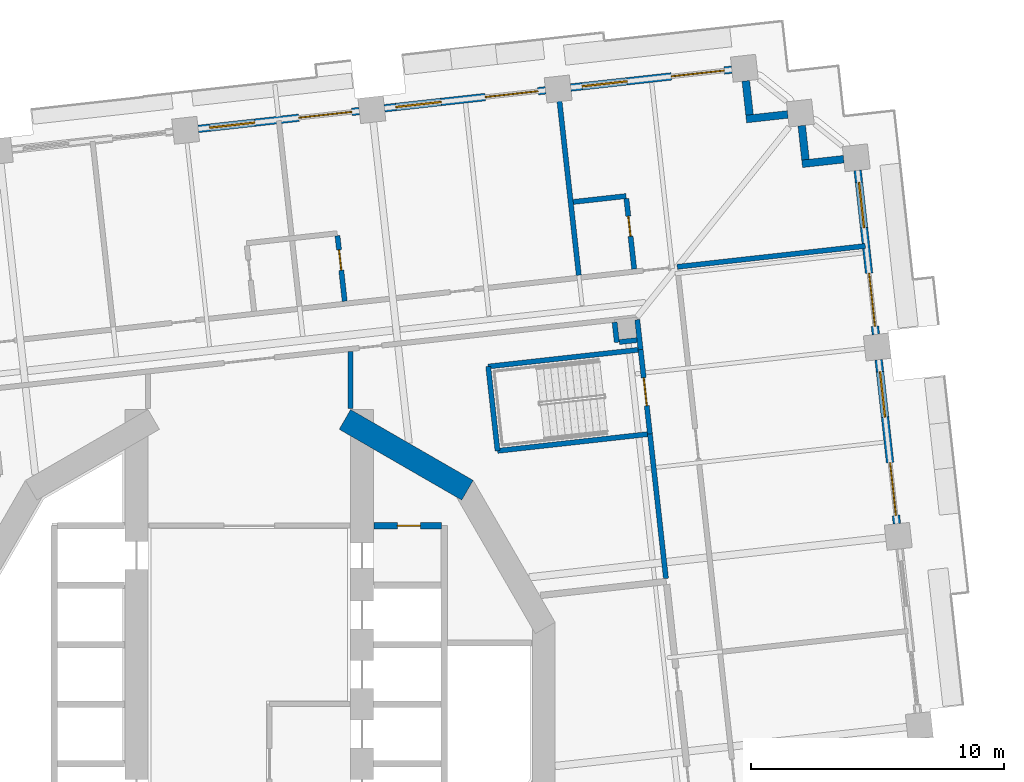
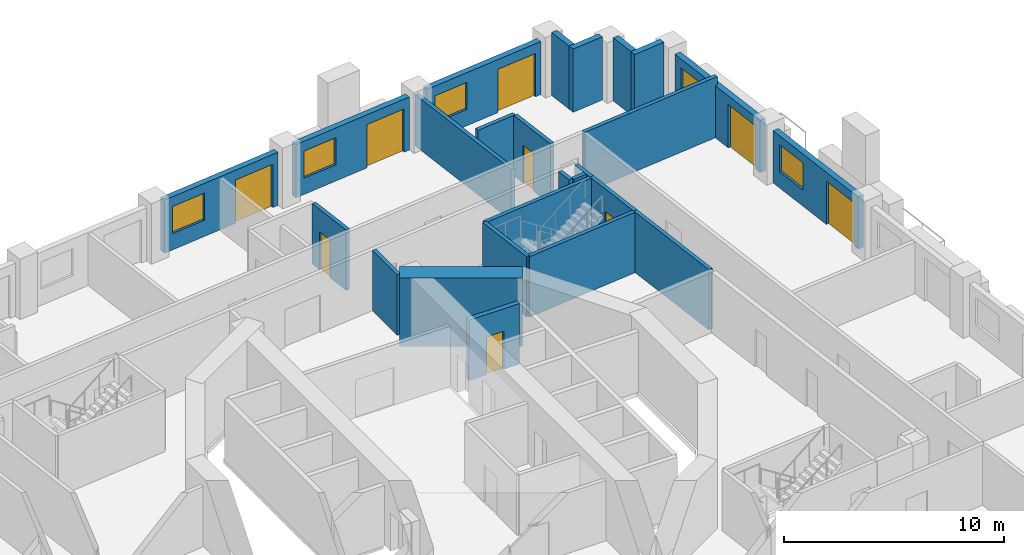
# One storey, part 12 of 21: 25 walls, 9 doors, 5 windows, 14 openings.
"""IFC4 building model written with IfcOpenShell, lengths in metres."""

from ifc_helpers import new_model, si_unit, direction, frame, frame_2d, origin, place, context, subcontext, project, spatial, rectangle, extrude, material, layer, layer_set, type_object, element, fill, save


model = new_model("IFC4")

# Units and contexts
model_context = context("Model", 3, precision=1e-05, world=origin(), true_north=direction((0.0, 1.0)))
body_context = subcontext(model_context, "Body", "Model", "MODEL_VIEW")
ifc_project = project(units=[si_unit("LENGTHUNIT", "METRE"), si_unit("AREAUNIT", "SQUARE_METRE"), si_unit("VOLUMEUNIT", "CUBIC_METRE"), si_unit("PLANEANGLEUNIT", "RADIAN"), si_unit("MASSUNIT", "GRAM", prefix="KILO")], contexts=[model_context])

# Site, building, storey
site_placement = place(None, origin())
site = spatial("IfcSite", under=ifc_project, at=site_placement, CompositionType="ELEMENT")
building_placement = place(site_placement, origin())
building = spatial("IfcBuilding", under=site, at=building_placement, Name="Cantera Rosa Tower", CompositionType="ELEMENT")
storey_placement = place(building_placement, frame((0.0, 0.0, 80.5)))
storey = spatial("IfcBuildingStorey", under=building, at=storey_placement, Name="L17", CompositionType="ELEMENT", Elevation=80.5)

# Walls
ifc_material_1 = material(Name="Gypsum board partition")
ifc_layer_1 = layer(ifc_material_1, 0.199951171875)
ifc_layer_set_1 = layer_set([ifc_layer_1], Name="CORRIDOR WALL 200 H3350")
wall_type_1 = type_object("IfcWallType", Name="CORRIDOR WALL 200 H3350", PredefinedType="PARTITIONING", material=ifc_layer_set_1)
wall_1_placement = place(storey_placement, frame((4.0, 11.667236328125, 0.0), z_axis=(0.0, 0.0, 1.0), x_axis=(0.0, 1.0, 0.0)))
element("IfcWall", 1, at=wall_1_placement, inside=storey, type_object=wall_type_1, Name="CORRIDOR WALL L17-063", PredefinedType="PARTITIONING", context=body_context, shape_type="SweptSolid", body=[
    extrude(rectangle(XDim=2.259765625, YDim=0.199951171875, at=frame_2d((1.1298828125, 0.0))), origin(), (0.0, 0.0, 1.0), 3.35009765625),
])
wall_2_placement = place(storey_placement, frame((15.44970703125, 14.001708984375, 0.0), z_axis=(0.0, 0.0, 1.0), x_axis=(-0.110341316069, 0.993893753863, 0.0)))
element("IfcWall", 2, at=wall_2_placement, inside=storey, type_object=wall_type_1, Name="CORRIDOR WALL L17-090", PredefinedType="PARTITIONING", context=body_context, shape_type="SweptSolid", body=[
    extrude(rectangle(XDim=1.188232421875, YDim=0.199951171875, at=frame_2d((0.59423828125, 0.0))), origin(), (0.0, 0.0, 1.0), 3.35009765625),
])
wall_3_placement = place(storey_placement, frame((16.45263671875, 4.965087890625, 0.0), z_axis=(0.0, 0.0, 1.0), x_axis=(-0.110291526896, 0.993899280156, 0.0)))
element("IfcWall", 3, at=wall_3_placement, inside=storey, type_object=wall_type_1, Name="CORRIDOR WALL L17-093", PredefinedType="PARTITIONING", context=body_context, shape_type="SweptSolid", body=[
    extrude(rectangle(XDim=5.741943359375, YDim=0.199951171875, at=frame_2d((2.87109375, 0.0))), origin(), (0.0, 0.0, 1.0), 3.35009765625),
])
ifc_material_2 = material(Name="Hollow clay masonry with cantera stone cladding", Category="masonry")
ifc_layer_2 = layer(ifc_material_2, 0.300048828125)
ifc_layer_set_2 = layer_set([ifc_layer_2], Name="EW-LOGGIA 300")
wall_type_2 = type_object("IfcWallType", Name="EW-LOGGIA 300", PredefinedType="SOLIDWALL", material=ifc_layer_set_2)
wall_4_placement = place(storey_placement, frame((23.46923828125, 21.520263671875, 0.0), z_axis=(0.0, 0.0, 1.0), x_axis=(-0.993905369514, -0.110236638423, 0.0)))
element("IfcWall", 4, at=wall_4_placement, inside=storey, type_object=wall_type_2, Name="EN-L17-W06a", PredefinedType="SOLIDWALL", context=body_context, shape_type="SweptSolid", body=[
    extrude(rectangle(XDim=1.64990234375, YDim=0.300048828125, at=frame_2d((0.824951171875, 0.0))), origin(), (0.0, 0.0, 1.0), 3.5),
])
wall_5_placement = place(storey_placement, frame((21.9619140625, 21.50390625, 0.0), z_axis=(0.0, 0.0, 1.0), x_axis=(-0.110312435488, 0.993896959738, 0.0)))
element("IfcWall", 5, at=wall_5_placement, inside=storey, type_object=wall_type_2, Name="EN-L17-W06b", PredefinedType="SOLIDWALL", context=body_context, shape_type="SweptSolid", body=[
    extrude(rectangle(XDim=1.35009765625, YDim=0.300048828125, at=frame_2d((0.675048828125, 0.0))), origin(), (0.0, 0.0, 1.0), 3.5),
])
wall_6_placement = place(storey_placement, frame((21.2607421875, 23.287353515625, 0.0), z_axis=(0.0, 0.0, 1.0), x_axis=(-0.993905369514, -0.110236638423, 0.0)))
element("IfcWall", 6, at=wall_6_placement, inside=storey, type_object=wall_type_2, Name="EN-L17-W07a", PredefinedType="SOLIDWALL", context=body_context, shape_type="SweptSolid", body=[
    extrude(rectangle(XDim=1.64990234375, YDim=0.300048828125, at=frame_2d((0.824951171875, 0.0))), origin(), (0.0, 0.0, 1.0), 3.5),
])
wall_7_placement = place(storey_placement, frame((19.75341796875, 23.27099609375, 0.0), z_axis=(0.0, 0.0, 1.0), x_axis=(-0.110312435488, 0.993896959738, 0.0)))
element("IfcWall", 7, at=wall_7_placement, inside=storey, type_object=wall_type_2, Name="EN-L17-W07b", PredefinedType="SOLIDWALL", context=body_context, shape_type="SweptSolid", body=[
    extrude(rectangle(XDim=1.35009765625, YDim=0.300048828125, at=frame_2d((0.675048828125, 0.0))), origin(), (0.0, 0.0, 1.0), 3.5),
])

# Wall, openings, window, door
ifc_material_3 = material(Name="Hollow clay masonry with cantera stone cladding", Category="masonry")
ifc_layer_3 = layer(ifc_material_3, 0.300048828125)
ifc_layer_set_3 = layer_set([ifc_layer_3], Name="EW-LOGGIA 300 H2890")
wall_type_3 = type_object("IfcWallType", Name="EW-LOGGIA 300 H2890", PredefinedType="SOLIDWALL", material=ifc_layer_set_3)
wall_8_placement = place(storey_placement, frame((25.570068359375, 7.124267578125, 0.0), z_axis=(0.0, 0.0, 1.0), x_axis=(-0.110312341265, 0.993896970196, 0.0)))
wall_8 = element("IfcWall", 8, at=wall_8_placement, inside=storey, type_object=wall_type_3, Name="EN-L17-W04", PredefinedType="SOLIDWALL", context=body_context, shape_type="SweptSolid", body=[
    extrude(rectangle(XDim=6.52001953125, YDim=0.300048828125, at=frame_2d((3.260009765625, 0.0))), origin(), (0.0, 0.0, 1.0), 2.889892578125),
])
opening_1_placement = place(wall_8_placement, frame((0.330078125, 0.0, 0.0)))
opening_1 = element("IfcOpeningElement", 9, at=opening_1_placement, cuts=wall_8, Name="Opening L17-TD07", PredefinedType="OPENING", context=body_context, shape_type="SweptSolid", body=[
    extrude(rectangle(XDim=2.10009765625, YDim=2.39990234375, at=frame_2d((1.050048828125, 1.199951171875))), frame((0.0, 0.159912109375, 0.0), z_axis=(0.0, -1.0, 0.0), x_axis=(1.0, 0.0, 0.0)), (0.0, 0.0, 1.0), 0.320068359375),
])
opening_2_placement = place(wall_8_placement, frame((4.239990234375, 0.0, 0.89990234375)))
opening_2 = element("IfcOpeningElement", 10, at=opening_2_placement, cuts=wall_8, Name="Opening L17-W08", PredefinedType="OPENING", context=body_context, shape_type="SweptSolid", body=[
    extrude(rectangle(XDim=1.800048828125, YDim=1.5, at=frame_2d((0.89990234375, 0.75))), frame((0.0, 0.159912109375, 0.0), z_axis=(0.0, -1.0, 0.0), x_axis=(1.0, 0.0, 0.0)), (0.0, 0.0, 1.0), 0.320068359375),
])
ifc_material_4 = material(Name="Aluminium frame with clear glass", Category="aluminium")
window_type = type_object("IfcWindowType", Name="Hotel room window 1800x1500", PartitioningType="DOUBLE_PANEL_VERTICAL", PredefinedType="WINDOW", material=ifc_material_4)
window_1_placement = place(opening_2_placement, origin())
window_1 = element("IfcWindow", 11, at=window_1_placement, inside=storey, type_object=window_type, Name="WINDOW L17-W08", OverallHeight=1.5, OverallWidth=1.800048828125, PartitioningType="SINGLE_PANEL", PredefinedType="WINDOW", context=body_context, shape_type="SweptSolid", body=[
    extrude(rectangle(XDim=1.800048828125, YDim=1.5, at=frame_2d((0.89990234375, 0.75))), frame((0.0, 0.030029296875, 0.0), z_axis=(0.0, -1.0, 0.0), x_axis=(1.0, 0.0, 0.0)), (0.0, 0.0, 1.0), 0.06005859375),
])
fill(opening_2, window_1)
ifc_material_5 = material(Name="Aluminium frame with clear glass", Category="aluminium")
door_type_1 = type_object("IfcDoorType", Name="TD-H 2100x2400", OperationType="NOTDEFINED", PredefinedType="DOOR", material=ifc_material_5)
door_1_placement = place(opening_1_placement, origin())
door_1 = element("IfcDoor", 12, at=door_1_placement, inside=storey, type_object=door_type_1, Name="LOGGIA DOOR L17-TD07", OperationType="SLIDING_TO_LEFT", OverallHeight=2.39990234375, OverallWidth=2.10009765625, PredefinedType="DOOR", context=body_context, shape_type="SweptSolid", body=[
    extrude(rectangle(XDim=2.10009765625, YDim=2.39990234375, at=frame_2d((1.050048828125, 1.199951171875))), frame((0.0, 0.02490234375, 0.0), z_axis=(0.0, -1.0, 0.0), x_axis=(1.0, 0.0, 0.0)), (0.0, 0.0, 1.0), 0.050048828125),
])
fill(opening_1, door_1)

wall_9_placement = place(storey_placement, frame((24.74072265625, 14.598388671875, 0.0), z_axis=(0.0, 0.0, 1.0), x_axis=(-0.110312341265, 0.993896970196, 0.0)))
wall_9 = element("IfcWall", 13, at=wall_9_placement, inside=storey, type_object=wall_type_3, Name="EN-L17-W05", PredefinedType="SOLIDWALL", context=body_context, shape_type="SweptSolid", body=[
    extrude(rectangle(XDim=6.52001953125, YDim=0.300048828125, at=frame_2d((3.260009765625, 0.0))), origin(), (0.0, 0.0, 1.0), 2.889892578125),
])
opening_3_placement = place(wall_9_placement, frame((0.330078125, 0.0, 0.0)))
opening_3 = element("IfcOpeningElement", 14, at=opening_3_placement, cuts=wall_9, Name="Opening L17-TD09", PredefinedType="OPENING", context=body_context, shape_type="SweptSolid", body=[
    extrude(rectangle(XDim=2.10009765625, YDim=2.39990234375, at=frame_2d((1.050048828125, 1.199951171875))), frame((0.0, 0.159912109375, 0.0), z_axis=(0.0, -1.0, 0.0), x_axis=(1.0, 0.0, 0.0)), (0.0, 0.0, 1.0), 0.320068359375),
])
opening_4_placement = place(wall_9_placement, frame((4.239990234375, 0.0, 0.89990234375)))
opening_4 = element("IfcOpeningElement", 15, at=opening_4_placement, cuts=wall_9, Name="Opening L17-W10", PredefinedType="OPENING", context=body_context, shape_type="SweptSolid", body=[
    extrude(rectangle(XDim=1.800048828125, YDim=1.5, at=frame_2d((0.89990234375, 0.75))), frame((0.0, 0.159912109375, 0.0), z_axis=(0.0, -1.0, 0.0), x_axis=(1.0, 0.0, 0.0)), (0.0, 0.0, 1.0), 0.320068359375),
])
window_2_placement = place(opening_4_placement, origin())
window_2 = element("IfcWindow", 16, at=window_2_placement, inside=storey, type_object=window_type, Name="WINDOW L17-W10", OverallHeight=1.5, OverallWidth=1.800048828125, PartitioningType="SINGLE_PANEL", PredefinedType="WINDOW", context=body_context, shape_type="SweptSolid", body=[
    extrude(rectangle(XDim=1.800048828125, YDim=1.5, at=frame_2d((0.89990234375, 0.75))), frame((0.0, 0.030029296875, 0.0), z_axis=(0.0, -1.0, 0.0), x_axis=(1.0, 0.0, 0.0)), (0.0, 0.0, 1.0), 0.06005859375),
])
fill(opening_4, window_2)
door_2_placement = place(opening_3_placement, origin())
door_2 = element("IfcDoor", 17, at=door_2_placement, inside=storey, type_object=door_type_1, Name="LOGGIA DOOR L17-TD09", OperationType="SLIDING_TO_LEFT", OverallHeight=2.39990234375, OverallWidth=2.10009765625, PredefinedType="DOOR", context=body_context, shape_type="SweptSolid", body=[
    extrude(rectangle(XDim=2.10009765625, YDim=2.39990234375, at=frame_2d((1.050048828125, 1.199951171875))), frame((0.0, 0.02490234375, 0.0), z_axis=(0.0, -1.0, 0.0), x_axis=(1.0, 0.0, 0.0)), (0.0, 0.0, 1.0), 0.050048828125),
])
fill(opening_3, door_2)

ifc_material_6 = material(Name="Hollow clay masonry with cantera stone cladding", Category="masonry")
ifc_layer_4 = layer(ifc_material_6, 0.300048828125)
ifc_layer_set_4 = layer_set([ifc_layer_4], Name="EW-LOGGIA 300 H2940")
wall_type_4 = type_object("IfcWallType", Name="EW-LOGGIA 300 H2940", PredefinedType="SOLIDWALL", material=ifc_layer_set_4)
wall_10_placement = place(storey_placement, frame((19.052490234375, 25.0546875, 0.0), z_axis=(0.0, 0.0, 1.0), x_axis=(-0.993896288542, -0.110318482689, 0.0)))
wall_10 = element("IfcWall", 18, at=wall_10_placement, inside=storey, type_object=wall_type_4, Name="EN-L17-W08", PredefinedType="SOLIDWALL", context=body_context, shape_type="SweptSolid", body=[
    extrude(rectangle(XDim=6.400146484375, YDim=0.300048828125, at=frame_2d((3.2001953125, 0.0))), origin(), (0.0, 0.0, 1.0), 2.93994140625),
])
opening_5_placement = place(wall_10_placement, frame((0.300048828125, 0.0, 0.0)))
opening_5 = element("IfcOpeningElement", 19, at=opening_5_placement, cuts=wall_10, Name="Opening L17-TD11", PredefinedType="OPENING", context=body_context, shape_type="SweptSolid", body=[
    extrude(rectangle(XDim=2.10009765625, YDim=2.39990234375, at=frame_2d((1.050048828125, 1.199951171875))), frame((0.0, 0.159912109375, 0.0), z_axis=(0.0, -1.0, 0.0), x_axis=(1.0, 0.0, 0.0)), (0.0, 0.0, 1.0), 0.320068359375),
])
opening_6_placement = place(wall_10_placement, frame((4.14990234375, 0.0, 0.89990234375)))
opening_6 = element("IfcOpeningElement", 20, at=opening_6_placement, cuts=wall_10, Name="Opening L17-W12", PredefinedType="OPENING", context=body_context, shape_type="SweptSolid", body=[
    extrude(rectangle(XDim=1.800048828125, YDim=1.5, at=frame_2d((0.89990234375, 0.75))), frame((0.0, 0.159912109375, 0.0), z_axis=(0.0, -1.0, 0.0), x_axis=(1.0, 0.0, 0.0)), (0.0, 0.0, 1.0), 0.320068359375),
])
window_3_placement = place(opening_6_placement, origin())
window_3 = element("IfcWindow", 21, at=window_3_placement, inside=storey, type_object=window_type, Name="WINDOW L17-W12", OverallHeight=1.5, OverallWidth=1.800048828125, PartitioningType="SINGLE_PANEL", PredefinedType="WINDOW", context=body_context, shape_type="SweptSolid", body=[
    extrude(rectangle(XDim=1.800048828125, YDim=1.5, at=frame_2d((0.89990234375, 0.75))), frame((0.0, 0.030029296875, 0.0), z_axis=(0.0, -1.0, 0.0), x_axis=(1.0, 0.0, 0.0)), (0.0, 0.0, 1.0), 0.06005859375),
])
fill(opening_6, window_3)
door_3_placement = place(opening_5_placement, origin())
door_3 = element("IfcDoor", 22, at=door_3_placement, inside=storey, type_object=door_type_1, Name="LOGGIA DOOR L17-TD11", OperationType="SLIDING_TO_LEFT", OverallHeight=2.39990234375, OverallWidth=2.10009765625, PredefinedType="DOOR", context=body_context, shape_type="SweptSolid", body=[
    extrude(rectangle(XDim=2.10009765625, YDim=2.39990234375, at=frame_2d((1.050048828125, 1.199951171875))), frame((0.0, 0.02490234375, 0.0), z_axis=(0.0, -1.0, 0.0), x_axis=(1.0, 0.0, 0.0)), (0.0, 0.0, 1.0), 0.050048828125),
])
fill(opening_5, door_3)

wall_11_placement = place(storey_placement, frame((11.697509765625, 24.23828125, 0.0), z_axis=(0.0, 0.0, 1.0), x_axis=(-0.993895824271, -0.110322665379, 0.0)))
wall_11 = element("IfcWall", 23, at=wall_11_placement, inside=storey, type_object=wall_type_4, Name="EN-L17-W09", PredefinedType="SOLIDWALL", context=body_context, shape_type="SweptSolid", body=[
    extrude(rectangle(XDim=6.39990234375, YDim=0.300048828125, at=frame_2d((3.199951171875, 0.0))), origin(), (0.0, 0.0, 1.0), 2.93994140625),
])
opening_7_placement = place(wall_11_placement, frame((0.300048828125, 0.0, 0.0)))
opening_7 = element("IfcOpeningElement", 24, at=opening_7_placement, cuts=wall_11, Name="Opening L17-TD13", PredefinedType="OPENING", context=body_context, shape_type="SweptSolid", body=[
    extrude(rectangle(XDim=2.10009765625, YDim=2.39990234375, at=frame_2d((1.050048828125, 1.199951171875))), frame((0.0, 0.159912109375, 0.0), z_axis=(0.0, -1.0, 0.0), x_axis=(1.0, 0.0, 0.0)), (0.0, 0.0, 1.0), 0.320068359375),
])
opening_8_placement = place(wall_11_placement, frame((4.14990234375, 0.0, 0.89990234375)))
opening_8 = element("IfcOpeningElement", 25, at=opening_8_placement, cuts=wall_11, Name="Opening L17-W14", PredefinedType="OPENING", context=body_context, shape_type="SweptSolid", body=[
    extrude(rectangle(XDim=1.800048828125, YDim=1.5, at=frame_2d((0.89990234375, 0.75))), frame((0.0, 0.159912109375, 0.0), z_axis=(0.0, -1.0, 0.0), x_axis=(1.0, 0.0, 0.0)), (0.0, 0.0, 1.0), 0.320068359375),
])
window_4_placement = place(opening_8_placement, origin())
window_4 = element("IfcWindow", 26, at=window_4_placement, inside=storey, type_object=window_type, Name="WINDOW L17-W14", OverallHeight=1.5, OverallWidth=1.800048828125, PartitioningType="SINGLE_PANEL", PredefinedType="WINDOW", context=body_context, shape_type="SweptSolid", body=[
    extrude(rectangle(XDim=1.800048828125, YDim=1.5, at=frame_2d((0.89990234375, 0.75))), frame((0.0, 0.030029296875, 0.0), z_axis=(0.0, -1.0, 0.0), x_axis=(1.0, 0.0, 0.0)), (0.0, 0.0, 1.0), 0.06005859375),
])
fill(opening_8, window_4)
door_4_placement = place(opening_7_placement, origin())
door_4 = element("IfcDoor", 27, at=door_4_placement, inside=storey, type_object=door_type_1, Name="LOGGIA DOOR L17-TD13", OperationType="SLIDING_TO_LEFT", OverallHeight=2.39990234375, OverallWidth=2.10009765625, PredefinedType="DOOR", context=body_context, shape_type="SweptSolid", body=[
    extrude(rectangle(XDim=2.10009765625, YDim=2.39990234375, at=frame_2d((1.050048828125, 1.199951171875))), frame((0.0, 0.02490234375, 0.0), z_axis=(0.0, -1.0, 0.0), x_axis=(1.0, 0.0, 0.0)), (0.0, 0.0, 1.0), 0.050048828125),
])
fill(opening_7, door_4)

wall_12_placement = place(storey_placement, frame((4.3427734375, 23.422119140625, 0.0), z_axis=(0.0, 0.0, 1.0), x_axis=(-0.993895824271, -0.110322665379, 0.0)))
wall_12 = element("IfcWall", 28, at=wall_12_placement, inside=storey, type_object=wall_type_4, Name="EN-L17-W10", PredefinedType="SOLIDWALL", context=body_context, shape_type="SweptSolid", body=[
    extrude(rectangle(XDim=6.39990234375, YDim=0.300048828125, at=frame_2d((3.199951171875, 0.0))), origin(), (0.0, 0.0, 1.0), 2.93994140625),
])
opening_9_placement = place(wall_12_placement, frame((0.300048828125, 0.0, 0.0)))
opening_9 = element("IfcOpeningElement", 29, at=opening_9_placement, cuts=wall_12, Name="Opening L17-TD15", PredefinedType="OPENING", context=body_context, shape_type="SweptSolid", body=[
    extrude(rectangle(XDim=2.10009765625, YDim=2.39990234375, at=frame_2d((1.050048828125, 1.199951171875))), frame((0.0, 0.159912109375, 0.0), z_axis=(0.0, -1.0, 0.0), x_axis=(1.0, 0.0, 0.0)), (0.0, 0.0, 1.0), 0.320068359375),
])
opening_10_placement = place(wall_12_placement, frame((4.14990234375, 0.0, 0.89990234375)))
opening_10 = element("IfcOpeningElement", 30, at=opening_10_placement, cuts=wall_12, Name="Opening L17-W16", PredefinedType="OPENING", context=body_context, shape_type="SweptSolid", body=[
    extrude(rectangle(XDim=1.800048828125, YDim=1.5, at=frame_2d((0.89990234375, 0.75))), frame((0.0, 0.159912109375, 0.0), z_axis=(0.0, -1.0, 0.0), x_axis=(1.0, 0.0, 0.0)), (0.0, 0.0, 1.0), 0.320068359375),
])
window_5_placement = place(opening_10_placement, origin())
window_5 = element("IfcWindow", 31, at=window_5_placement, inside=storey, type_object=window_type, Name="WINDOW L17-W16", OverallHeight=1.5, OverallWidth=1.800048828125, PartitioningType="SINGLE_PANEL", PredefinedType="WINDOW", context=body_context, shape_type="SweptSolid", body=[
    extrude(rectangle(XDim=1.800048828125, YDim=1.5, at=frame_2d((0.89990234375, 0.75))), frame((0.0, 0.030029296875, 0.0), z_axis=(0.0, -1.0, 0.0), x_axis=(1.0, 0.0, 0.0)), (0.0, 0.0, 1.0), 0.06005859375),
])
fill(opening_10, window_5)
door_5_placement = place(opening_9_placement, origin())
door_5 = element("IfcDoor", 32, at=door_5_placement, inside=storey, type_object=door_type_1, Name="LOGGIA DOOR L17-TD15", OperationType="SLIDING_TO_LEFT", OverallHeight=2.39990234375, OverallWidth=2.10009765625, PredefinedType="DOOR", context=body_context, shape_type="SweptSolid", body=[
    extrude(rectangle(XDim=2.10009765625, YDim=2.39990234375, at=frame_2d((1.050048828125, 1.199951171875))), frame((0.0, 0.02490234375, 0.0), z_axis=(0.0, -1.0, 0.0), x_axis=(1.0, 0.0, 0.0)), (0.0, 0.0, 1.0), 0.050048828125),
])
fill(opening_9, door_5)

# Wall, opening, door
ifc_material_7 = material(Name="Gypsum board partition")
ifc_layer_5 = layer(ifc_material_7, 0.199951171875)
ifc_layer_set_5 = layer_set([ifc_layer_5], Name="PARTITION 200 H3350")
wall_type_5 = type_object("IfcWallType", Name="PARTITION 200 H3350", PredefinedType="PARTITIONING", material=ifc_layer_set_5)
wall_13_placement = place(storey_placement, frame((3.480712890625, 18.496826171875, 0.0), z_axis=(0.0, 0.0, 1.0), x_axis=(0.110328468272, -0.993895180132, 0.0)))
wall_13 = element("IfcWall", 33, at=wall_13_placement, inside=storey, type_object=wall_type_5, Name="PARTITION L17-058", PredefinedType="PARTITIONING", context=body_context, shape_type="SweptSolid", body=[
    extrude(rectangle(XDim=2.60009765625, YDim=0.199951171875, at=frame_2d((1.300048828125, 0.0))), origin(), (0.0, 0.0, 1.0), 3.35009765625),
])
opening_11_placement = place(wall_13_placement, frame((0.56396484375, 0.0, 0.0)))
opening_11 = element("IfcOpeningElement", 34, at=opening_11_placement, cuts=wall_13, Name="Opening L17-021", PredefinedType="OPENING", context=body_context, shape_type="SweptSolid", body=[
    extrude(rectangle(XDim=0.800048828125, YDim=2.10009765625, at=frame_2d((0.39990234375, 1.050048828125))), frame((0.0, 0.10986328125, 0.0), z_axis=(0.0, -1.0, 0.0), x_axis=(1.0, 0.0, 0.0)), (0.0, 0.0, 1.0), 0.219970703125),
])
ifc_material_8 = material(Name="Timber door leaf", Category="wood")
door_type_2 = type_object("IfcDoorType", Name="BATHROOM DOOR 800x2100", OperationType="NOTDEFINED", PredefinedType="DOOR", material=ifc_material_8)
door_6_placement = place(opening_11_placement, origin())
door_6 = element("IfcDoor", 35, at=door_6_placement, inside=storey, type_object=door_type_2, Name="DOOR L17-021", OperationType="NOTDEFINED", OverallHeight=2.10009765625, OverallWidth=0.800048828125, PredefinedType="DOOR", context=body_context, shape_type="SweptSolid", body=[
    extrude(rectangle(XDim=0.800048828125, YDim=2.10009765625, at=frame_2d((0.39990234375, 1.050048828125))), frame((0.0, 0.02490234375, 0.0), z_axis=(0.0, -1.0, 0.0), x_axis=(1.0, 0.0, 0.0)), (0.0, 0.0, 1.0), 0.050048828125),
])
fill(opening_11, door_6)

# Walls
wall_14_placement = place(storey_placement, frame((12.790283203125, 19.83203125, 0.0), z_axis=(0.0, 0.0, 1.0), x_axis=(0.993895071737, 0.11032944474, 0.0)))
element("IfcWall", 36, at=wall_14_placement, inside=storey, type_object=wall_type_5, Name="PARTITION L17-080", PredefinedType="PARTITIONING", context=body_context, shape_type="SweptSolid", body=[
    extrude(rectangle(XDim=2.10009765625, YDim=0.199951171875, at=frame_2d((1.050048828125, 0.0))), origin(), (0.0, 0.0, 1.0), 3.35009765625),
])
wall_15_placement = place(storey_placement, frame((14.42431640625, 15.083251953125, 0.0), z_axis=(0.0, 0.0, 1.0), x_axis=(0.110163574714, -0.993913470482, 0.0)))
element("IfcWall", 37, at=wall_15_placement, inside=storey, type_object=wall_type_5, Name="PARTITION L17-082", PredefinedType="PARTITIONING", context=body_context, shape_type="SweptSolid", body=[
    extrude(rectangle(XDim=0.800048828125, YDim=0.199951171875, at=frame_2d((0.39990234375, 0.0))), origin(), (0.0, 0.0, 1.0), 3.35009765625),
])
wall_16_placement = place(storey_placement, frame((14.61181640625, 14.299072265625, 0.0), z_axis=(0.0, 0.0, 1.0), x_axis=(0.993870969748, 0.110546349969, 0.0)))
element("IfcWall", 38, at=wall_16_placement, inside=storey, type_object=wall_type_5, Name="PARTITION L17-083", PredefinedType="PARTITIONING", context=body_context, shape_type="SweptSolid", body=[
    extrude(rectangle(XDim=0.7001953125, YDim=0.199951171875, at=frame_2d((0.35009765625, 0.0))), origin(), (0.0, 0.0, 1.0), 3.35009765625),
])

# Wall, opening, door
wall_17_placement = place(storey_placement, frame((14.888671875, 19.964111328125, 0.0), z_axis=(0.0, 0.0, 1.0), x_axis=(0.110307106705, -0.993897551164, 0.0)))
wall_17 = element("IfcWall", 39, at=wall_17_placement, inside=storey, type_object=wall_type_5, Name="PARTITION L17-084", PredefinedType="PARTITIONING", context=body_context, shape_type="SweptSolid", body=[
    extrude(rectangle(XDim=2.7998046875, YDim=0.199951171875, at=frame_2d((1.39990234375, 0.0))), origin(), (0.0, 0.0, 1.0), 3.35009765625),
])
opening_12_placement = place(wall_17_placement, frame((0.699951171875, 0.0, 0.0)))
opening_12 = element("IfcOpeningElement", 40, at=opening_12_placement, cuts=wall_17, Name="Opening L17-028", PredefinedType="OPENING", context=body_context, shape_type="SweptSolid", body=[
    extrude(rectangle(XDim=0.800048828125, YDim=2.10009765625, at=frame_2d((0.39990234375, 1.050048828125))), frame((0.0, 0.10986328125, 0.0), z_axis=(0.0, -1.0, 0.0), x_axis=(1.0, 0.0, 0.0)), (0.0, 0.0, 1.0), 0.219970703125),
])
door_7_placement = place(opening_12_placement, origin())
door_7 = element("IfcDoor", 41, at=door_7_placement, inside=storey, type_object=door_type_2, Name="DOOR L17-028", OperationType="NOTDEFINED", OverallHeight=2.10009765625, OverallWidth=0.800048828125, PredefinedType="DOOR", context=body_context, shape_type="SweptSolid", body=[
    extrude(rectangle(XDim=0.800048828125, YDim=2.10009765625, at=frame_2d((0.39990234375, 1.050048828125))), frame((0.0, 0.02490234375, 0.0), z_axis=(0.0, -1.0, 0.0), x_axis=(1.0, 0.0, 0.0)), (0.0, 0.0, 1.0), 0.050048828125),
])
fill(opening_12, door_7)

# Walls
ifc_material_9 = material(Name="Gypsum board partition")
ifc_layer_6 = layer(ifc_material_9, 0.199951171875)
ifc_layer_set_6 = layer_set([ifc_layer_6], Name="PARTY WALL 200 H2850")
wall_type_6 = type_object("IfcWallType", Name="PARTY WALL 200 H2850", PredefinedType="PARTITIONING", material=ifc_layer_set_6)
wall_18_placement = place(storey_placement, frame((12.197998046875, 24.263671875, 0.0), z_axis=(0.0, 0.0, 1.0), x_axis=(0.11031154238, -0.993897058864, 0.0)))
element("IfcWall", 42, at=wall_18_placement, inside=storey, type_object=wall_type_6, Name="PARTY WALL L17-079", PredefinedType="PARTITIONING", context=body_context, shape_type="SweptSolid", body=[
    extrude(rectangle(XDim=7.369873046875, YDim=0.199951171875, at=frame_2d((3.68505859375, 0.0))), origin(), (0.0, 0.0, 1.0), 2.85009765625),
])
ifc_material_10 = material(Name="Gypsum board partition")
ifc_layer_7 = layer(ifc_material_10, 0.199951171875)
ifc_layer_set_7 = layer_set([ifc_layer_7], Name="PARTY WALL 200 H3350")
wall_type_7 = type_object("IfcWallType", Name="PARTY WALL 200 H3350", PredefinedType="PARTITIONING", material=ifc_layer_set_7)
wall_19_placement = place(storey_placement, frame((16.898193359375, 17.26953125, 0.0), z_axis=(0.0, 0.0, 1.0), x_axis=(0.993897676912, 0.110305973679, 0.0)))
element("IfcWall", 43, at=wall_19_placement, inside=storey, type_object=wall_type_7, Name="PARTY WALL L17-095", PredefinedType="PARTITIONING", context=body_context, shape_type="SweptSolid", body=[
    extrude(rectangle(XDim=7.469970703125, YDim=0.199951171875, at=frame_2d((3.73486328125, 0.0))), origin(), (0.0, 0.0, 1.0), 3.35009765625),
])
ifc_material_11 = material(Name="Concrete C70/85", Category="concrete")
ifc_layer_8 = layer(ifc_material_11, 0.89990234375)
ifc_layer_set_8 = layer_set([ifc_layer_8], Name="RC CORE WALL 900 C70/85")
wall_type_8 = type_object("IfcWallType", Name="RC CORE WALL 900 C70/85", PredefinedType="SHEAR", material=ifc_layer_set_8)
wall_20_placement = place(storey_placement, frame((3.77490234375, 11.242919921875, 0.0), z_axis=(0.0, 0.0, 1.0), x_axis=(0.866026961591, -0.49999730179, 0.0)))
element("IfcWall", 44, at=wall_20_placement, inside=storey, type_object=wall_type_8, Name="CW-E1 L17", PredefinedType="SHEAR", context=body_context, shape_type="SweptSolid", body=[
    extrude(rectangle(XDim=5.58740234375, YDim=0.89990234375, at=frame_2d((2.793701171875, 0.0))), origin(), (0.0, 0.0, 1.0), 3.800048828125),
])

# Wall, opening, door
ifc_material_12 = material(Name="Masonry blockwork", Category="masonry")
ifc_layer_9 = layer(ifc_material_12, 0.25)
ifc_layer_set_9 = layer_set([ifc_layer_9], Name="SHAFT WALL 250 H3350")
wall_type_9 = type_object("IfcWallType", Name="SHAFT WALL 250 H3350", PredefinedType="SOLIDWALL", material=ifc_layer_set_9)
wall_21_placement = place(storey_placement, frame((7.580078125, 7.050048828125, 0.0), z_axis=(0.0, 0.0, 1.0), x_axis=(-1.0, 0.0, 0.0)))
wall_21 = element("IfcWall", 45, at=wall_21_placement, inside=storey, type_object=wall_type_9, Name="SHAFT WALL L17-073", PredefinedType="SOLIDWALL", context=body_context, shape_type="SweptSolid", body=[
    extrude(rectangle(XDim=2.650146484375, YDim=0.25, at=frame_2d((1.3251953125, 0.0))), origin(), (0.0, 0.0, 1.0), 3.35009765625),
])
opening_13_placement = place(wall_21_placement, frame((0.830078125, 0.0, 0.0)))
opening_13 = element("IfcOpeningElement", 46, at=opening_13_placement, cuts=wall_21, Name="Opening L17-044", PredefinedType="OPENING", context=body_context, shape_type="SweptSolid", body=[
    extrude(rectangle(XDim=0.89990234375, YDim=2.10009765625, at=frame_2d((0.449951171875, 1.050048828125))), frame((0.0, 0.135009765625, 0.0), z_axis=(0.0, -1.0, 0.0), x_axis=(1.0, 0.0, 0.0)), (0.0, 0.0, 1.0), 0.27001953125),
])
ifc_material_13 = material(Name="Timber door leaf", Category="wood")
door_type_3 = type_object("IfcDoorType", Name="SERVICE DOOR 900x2100", OperationType="NOTDEFINED", PredefinedType="DOOR", material=ifc_material_13)
door_8_placement = place(opening_13_placement, origin())
door_8 = element("IfcDoor", 47, at=door_8_placement, inside=storey, type_object=door_type_3, Name="RISER DOOR L17-044", OperationType="NOTDEFINED", OverallHeight=2.10009765625, OverallWidth=0.89990234375, PredefinedType="DOOR", context=body_context, shape_type="SweptSolid", body=[
    extrude(rectangle(XDim=0.89990234375, YDim=2.10009765625, at=frame_2d((0.449951171875, 1.050048828125))), frame((0.0, 0.02490234375, 0.0), z_axis=(0.0, -1.0, 0.0), x_axis=(1.0, 0.0, 0.0)), (0.0, 0.0, 1.0), 0.050048828125),
])
fill(opening_13, door_8)

# Walls
ifc_material_14 = material(Name="Concrete C50/60", Category="concrete")
ifc_layer_10 = layer(ifc_material_14, 0.199951171875)
ifc_layer_set_10 = layer_set([ifc_layer_10], Name="STAIR WALL 200 H3350")
wall_type_10 = type_object("IfcWallType", Name="STAIR WALL 200 H3350", PredefinedType="SOLIDWALL", material=ifc_layer_set_10)
wall_22_placement = place(storey_placement, frame((9.43359375, 13.333740234375, 0.0), z_axis=(0.0, 0.0, 1.0), x_axis=(0.11027153821, -0.993901498067, 0.0)))
element("IfcWall", 48, at=wall_22_placement, inside=storey, type_object=wall_type_10, Name="STAIR WALL L17-077", PredefinedType="SOLIDWALL", context=body_context, shape_type="SweptSolid", body=[
    extrude(rectangle(XDim=3.349853515625, YDim=0.199951171875, at=frame_2d((1.6748046875, 0.0))), origin(), (0.0, 0.0, 1.0), 3.35009765625),
])
wall_23_placement = place(storey_placement, frame((9.802978515625, 10.00439453125, 0.0), z_axis=(0.0, 0.0, 1.0), x_axis=(0.993897498792, 0.11030757859, 0.0)))
element("IfcWall", 49, at=wall_23_placement, inside=storey, type_object=wall_type_10, Name="STAIR WALL L17-078", PredefinedType="SOLIDWALL", context=body_context, shape_type="SweptSolid", body=[
    extrude(rectangle(XDim=6.05322265625, YDim=0.199951171875, at=frame_2d((3.026611328125, 0.0))), origin(), (0.0, 0.0, 1.0), 3.35009765625),
])
wall_24_placement = place(storey_placement, frame((15.44970703125, 14.001708984375, 0.0), z_axis=(0.0, 0.0, 1.0), x_axis=(-0.993892585125, -0.110351842907, 0.0)))
element("IfcWall", 50, at=wall_24_placement, inside=storey, type_object=wall_type_10, Name="STAIR WALL L17-089", PredefinedType="SOLIDWALL", context=body_context, shape_type="SweptSolid", body=[
    extrude(rectangle(XDim=6.052978515625, YDim=0.199951171875, at=frame_2d((3.0263671875, 0.0))), origin(), (0.0, 0.0, 1.0), 3.35009765625),
])

# Wall, opening, door
wall_25_placement = place(storey_placement, frame((15.8193359375, 10.672119140625, 0.0), z_axis=(0.0, 0.0, 1.0), x_axis=(-0.110335541424, 0.993894394943, 0.0)))
wall_25 = element("IfcWall", 51, at=wall_25_placement, inside=storey, type_object=wall_type_10, Name="STAIR WALL L17-091", PredefinedType="SOLIDWALL", context=body_context, shape_type="SweptSolid", body=[
    extrude(rectangle(XDim=3.35009765625, YDim=0.199951171875, at=frame_2d((1.675048828125, 0.0))), origin(), (0.0, 0.0, 1.0), 3.35009765625),
])
opening_14_placement = place(wall_25_placement, frame((1.125, 0.0, 0.0)))
opening_14 = element("IfcOpeningElement", 52, at=opening_14_placement, cuts=wall_25, Name="Opening L17-001", PredefinedType="OPENING", context=body_context, shape_type="SweptSolid", body=[
    extrude(rectangle(XDim=1.10009765625, YDim=2.10009765625, at=frame_2d((0.550048828125, 1.050048828125))), frame((0.0, 0.10986328125, 0.0), z_axis=(0.0, -1.0, 0.0), x_axis=(1.0, 0.0, 0.0)), (0.0, 0.0, 1.0), 0.219970703125),
])
ifc_material_15 = material(Name="Steel S355J2 (EN 10025-2)", Category="steel")
door_type_4 = type_object("IfcDoorType", Name="STAIR DOOR 1100x2100", OperationType="NOTDEFINED", PredefinedType="DOOR", material=ifc_material_15)
door_9_placement = place(opening_14_placement, origin())
door_9 = element("IfcDoor", 53, at=door_9_placement, inside=storey, type_object=door_type_4, Name="DOOR L17-001", OperationType="NOTDEFINED", OverallHeight=2.10009765625, OverallWidth=1.10009765625, PredefinedType="DOOR", context=body_context, shape_type="SweptSolid", body=[
    extrude(rectangle(XDim=1.10009765625, YDim=2.10009765625, at=frame_2d((0.550048828125, 1.050048828125))), frame((0.0, 0.02490234375, 0.0), z_axis=(0.0, -1.0, 0.0), x_axis=(1.0, 0.0, 0.0)), (0.0, 0.0, 1.0), 0.050048828125),
])
fill(opening_14, door_9)

save(model, "model.ifc")
